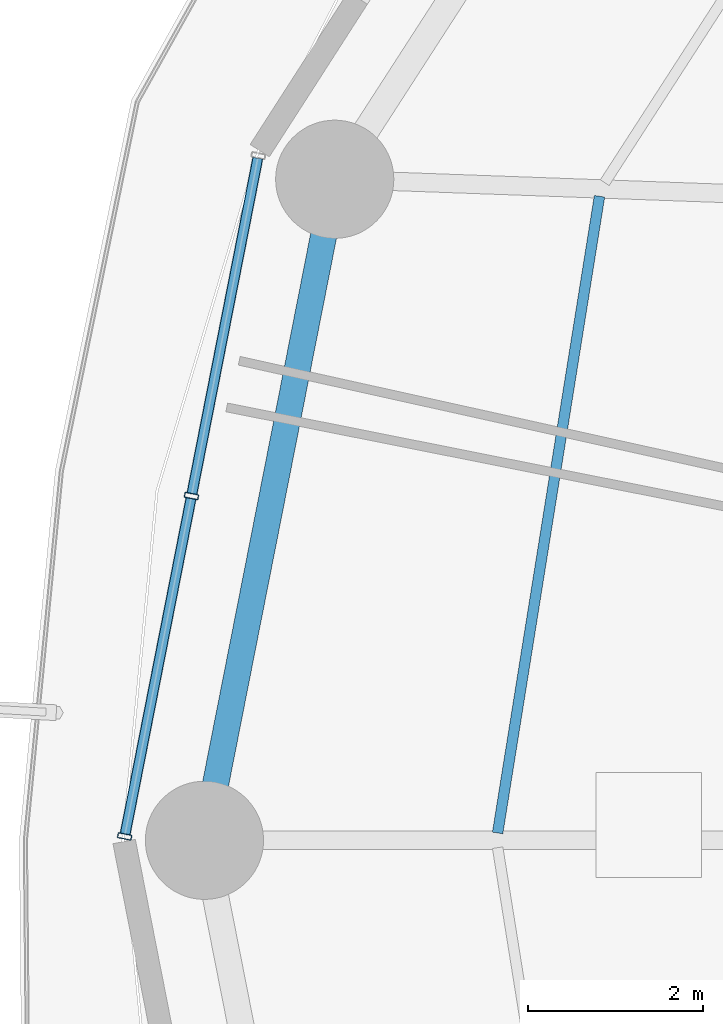
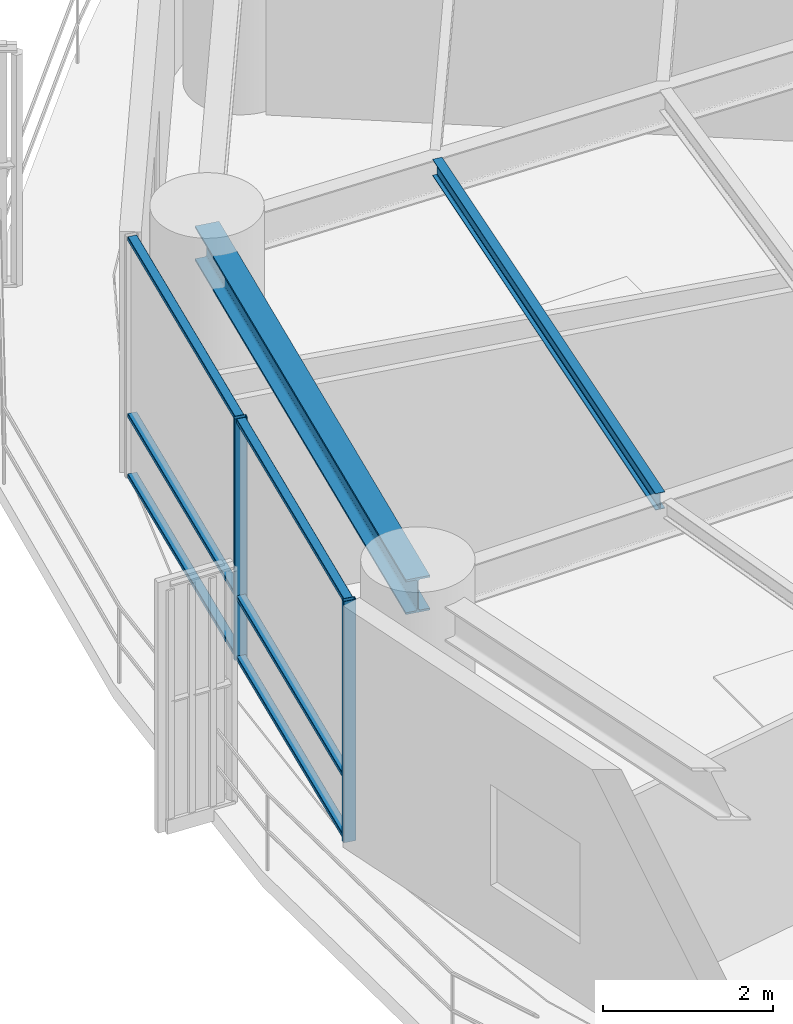
# One storey, part 8 of 35: 8 members, 2 beams, 1 element without a shape of its own.
"""IFC4 building model written with IfcOpenShell, lengths in metres."""

from ifc_helpers import new_model, si_unit, direction, frame, origin, origin_2d, place, context, subcontext, project, spatial, hollow_rectangle, i_section, extrude, material, layer, layer_set, material_profile, profile_set, type_object, element, aggregate, save


model = new_model("IFC4")

# Units and contexts
model_context = context("Model", 3, precision=1e-05, world=origin(), true_north=direction((0.0, 1.0)))
body_context = subcontext(model_context, "Body", "Model", "MODEL_VIEW")
ifc_project = project(units=[si_unit("LENGTHUNIT", "METRE"), si_unit("AREAUNIT", "SQUARE_METRE"), si_unit("VOLUMEUNIT", "CUBIC_METRE"), si_unit("PLANEANGLEUNIT", "RADIAN"), si_unit("MASSUNIT", "GRAM", prefix="KILO")], contexts=[model_context])

# Site, building, storey
site_placement = place(None, origin())
site = spatial("IfcSite", under=ifc_project, at=site_placement, CompositionType="ELEMENT")
building_placement = place(site_placement, origin())
building = spatial("IfcBuilding", under=site, at=building_placement, Name="Kelanora Arch Commons", CompositionType="ELEMENT")
storey_placement = place(building_placement, frame((0.0, 0.0, 117.60009765625)))
storey = spatial("IfcBuildingStorey", under=building, at=storey_placement, Name="L30", CompositionType="ELEMENT", Elevation=117.60009765625)

# Beams
ifc_material_1 = material(Name="Steel S355", Category="steel")
ifc_material_profile_1 = material_profile(ifc_material_1, i_section(OverallWidth=0.1201171875, OverallDepth=0.239990234375, WebThickness=0.006103515625, FlangeThickness=0.009765625, FilletRadius=0.014892578125, at=origin_2d()), Name="IPE240")
ifc_profile_set_1 = profile_set([ifc_material_profile_1], Name="Steel S355")
beam_type_1 = type_object("IfcBeamType", Name="BM-JST-02", PredefinedType="JOIST", material=ifc_profile_set_1)
beam_1_placement = place(storey_placement, frame((53.833251953125, 65.357421875, 3.369873046875), z_axis=(-0.157999549894, -0.987439184068, 0.0), x_axis=(0.987439184068, -0.157999549894, 0.0)))
element("IfcBeam", 1, at=beam_1_placement, inside=storey, type_object=beam_type_1, Name="Secondary Chord Joist BJC-16 L30", PredefinedType="JOIST", context=body_context, shape_type="SweptSolid", body=[
    extrude(i_section(OverallWidth=0.1201171875, OverallDepth=0.239990234375, WebThickness=0.006103515625, FlangeThickness=0.009765625, FilletRadius=0.014892578125, at=origin_2d()), origin(), (0.0, 0.0, 1.0), 7.365966796875),
])
ifc_material_profile_2 = material_profile(ifc_material_1, i_section(OverallWidth=0.300048828125, OverallDepth=0.5, WebThickness=0.014404296875, FlangeThickness=0.028076171875, FilletRadius=0.027099609375, at=origin_2d()), Name="HEB500")
ifc_profile_set_2 = profile_set([ifc_material_profile_2], Name="Steel S355")
beam_type_2 = type_object("IfcBeamType", Name="BM-SPN-Z2", PredefinedType="SPANDREL", material=ifc_profile_set_2)
beam_2_placement = place(storey_placement, frame((50.808349609375, 65.5517578125, 3.239990234375), z_axis=(-0.19335825777, -0.981128220037, 0.0), x_axis=(0.981128220037, -0.19335825777, 0.0)))
element("IfcBeam", 2, at=beam_2_placement, inside=storey, type_object=beam_type_2, Name="Perimeter Spandrel Beam BS-16 L30", PredefinedType="SPANDREL", context=body_context, shape_type="SweptSolid", body=[
    extrude(i_section(OverallWidth=0.300048828125, OverallDepth=0.5, WebThickness=0.014404296875, FlangeThickness=0.028076171875, FilletRadius=0.027099609375, at=origin_2d()), origin(), (0.0, 0.0, 1.0), 7.697021484375),
])

# Curtain wall, members
ifc_material_2 = material(Name="Terracotta ceramic-fritted low-E glass and aluminium", Category="masonry")
ifc_layer = layer(ifc_material_2, 0.159912109375)
ifc_layer_set = layer_set([ifc_layer], Name="Terracotta ceramic-fritted low-E glass and aluminium")
curtain_wall_type = type_object("IfcCurtainWallType", Name="CW-SYS-01", PredefinedType="NOTDEFINED", material=ifc_layer_set)
curtain_wall_placement = place(storey_placement, origin())
curtain_wall = element("IfcCurtainWall", 3, at=curtain_wall_placement, inside=storey, type_object=curtain_wall_type, Name="Unitised Curtain Wall L30-B08", PredefinedType="NOTDEFINED")
ifc_material_3 = material(Name="Powder-coated aluminium terracotta", Category="masonry")
ifc_material_profile_3 = material_profile(ifc_material_3, hollow_rectangle(XDim=0.159912109375, YDim=0.06005859375, WallThickness=0.0048828125, InnerFilletRadius=0.0048828125, OuterFilletRadius=0.010009765625, at=origin_2d()), Name="CWM160x60")
ifc_profile_set_3 = profile_set([ifc_material_profile_3], Name="Powder-coated aluminium terracotta")
member_type_1 = type_object("IfcMemberType", Name="CWM-STD", PredefinedType="MULLION", material=ifc_profile_set_3)
member_1_placement = place(storey_placement, frame((49.171875, 61.933349609375, 0.0), z_axis=(0.0, 0.0, 1.0), x_axis=(0.981280311646, -0.192584916272, 0.0)))
member_1 = element("IfcMember", 4, at=member_1_placement, type_object=member_type_1, Name="CW-01 mullion 2", PredefinedType="MULLION", context=body_context, shape_type="SweptSolid", body=[
    extrude(hollow_rectangle(XDim=0.159912109375, YDim=0.06005859375, WallThickness=0.0048828125, InnerFilletRadius=0.0048828125, OuterFilletRadius=0.010009765625, at=origin_2d()), origin(), (0.0, 0.0, 1.0), 3.474853515625),
])
member_2_placement = place(storey_placement, frame((48.40869140625, 58.044189453125, 0.0), z_axis=(0.0, 0.0, 1.0), x_axis=(0.981280311646, -0.192584916272, 0.0)))
member_2 = element("IfcMember", 5, at=member_2_placement, type_object=member_type_1, Name="CW-01 mullion 3", PredefinedType="MULLION", context=body_context, shape_type="SweptSolid", body=[
    extrude(hollow_rectangle(XDim=0.159912109375, YDim=0.06005859375, WallThickness=0.0048828125, InnerFilletRadius=0.0048828125, OuterFilletRadius=0.010009765625, at=origin_2d()), origin(), (0.0, 0.0, 1.0), 3.474853515625),
])
ifc_material_profile_4 = material_profile(ifc_material_3, hollow_rectangle(XDim=0.1201171875, YDim=0.06005859375, WallThickness=0.0048828125, InnerFilletRadius=0.0048828125, OuterFilletRadius=0.010009765625, at=origin_2d()), Name="CWT120x60")
ifc_profile_set_4 = profile_set([ifc_material_profile_4], Name="Powder-coated aluminium terracotta")
member_type_2 = type_object("IfcMemberType", Name="CWT-STD", PredefinedType="USERDEFINED", material=ifc_profile_set_4)
member_3_placement = place(storey_placement, frame((49.929443359375, 65.79296875, 0.02978515625), z_axis=(-0.192578614785, -0.981281548348, 0.0), x_axis=(0.981281548348, -0.192578614785, 0.0)))
member_3 = element("IfcMember", 6, at=member_3_placement, type_object=member_type_2, Name="CW-01 transom 1.1", ObjectType="TRANSOM", PredefinedType="USERDEFINED", context=body_context, shape_type="SweptSolid", body=[
    extrude(hollow_rectangle(XDim=0.1201171875, YDim=0.06005859375, WallThickness=0.0048828125, InnerFilletRadius=0.0048828125, OuterFilletRadius=0.010009765625, at=origin_2d()), origin(), (0.0, 0.0, 1.0), 3.9033203125),
])
member_4_placement = place(storey_placement, frame((49.929443359375, 65.79296875, 0.89990234375), z_axis=(-0.192578614785, -0.981281548348, 0.0), x_axis=(0.981281548348, -0.192578614785, 0.0)))
member_4 = element("IfcMember", 7, at=member_4_placement, type_object=member_type_2, Name="CW-01 transom 1.2", ObjectType="TRANSOM", PredefinedType="USERDEFINED", context=body_context, shape_type="SweptSolid", body=[
    extrude(hollow_rectangle(XDim=0.1201171875, YDim=0.06005859375, WallThickness=0.0048828125, InnerFilletRadius=0.0048828125, OuterFilletRadius=0.010009765625, at=origin_2d()), origin(), (0.0, 0.0, 1.0), 3.9033203125),
])
member_5_placement = place(storey_placement, frame((49.929443359375, 65.79296875, 3.44482421875), z_axis=(-0.192578614785, -0.981281548348, 0.0), x_axis=(0.981281548348, -0.192578614785, 0.0)))
member_5 = element("IfcMember", 8, at=member_5_placement, type_object=member_type_2, Name="CW-01 transom 1.3", ObjectType="TRANSOM", PredefinedType="USERDEFINED", context=body_context, shape_type="SweptSolid", body=[
    extrude(hollow_rectangle(XDim=0.1201171875, YDim=0.06005859375, WallThickness=0.0048828125, InnerFilletRadius=0.0048828125, OuterFilletRadius=0.010009765625, at=origin_2d()), origin(), (0.0, 0.0, 1.0), 3.9033203125),
])
member_6_placement = place(storey_placement, frame((49.166259765625, 61.90380859375, 0.02978515625), z_axis=(-0.192578614785, -0.981281548348, 0.0), x_axis=(0.981281548348, -0.192578614785, 0.0)))
member_6 = element("IfcMember", 9, at=member_6_placement, type_object=member_type_2, Name="CW-01 transom 2.1", ObjectType="TRANSOM", PredefinedType="USERDEFINED", context=body_context, shape_type="SweptSolid", body=[
    extrude(hollow_rectangle(XDim=0.1201171875, YDim=0.06005859375, WallThickness=0.0048828125, InnerFilletRadius=0.0048828125, OuterFilletRadius=0.010009765625, at=origin_2d()), origin(), (0.0, 0.0, 1.0), 3.9033203125),
])
member_7_placement = place(storey_placement, frame((49.166259765625, 61.90380859375, 0.89990234375), z_axis=(-0.192578614785, -0.981281548348, 0.0), x_axis=(0.981281548348, -0.192578614785, 0.0)))
member_7 = element("IfcMember", 10, at=member_7_placement, type_object=member_type_2, Name="CW-01 transom 2.2", ObjectType="TRANSOM", PredefinedType="USERDEFINED", context=body_context, shape_type="SweptSolid", body=[
    extrude(hollow_rectangle(XDim=0.1201171875, YDim=0.06005859375, WallThickness=0.0048828125, InnerFilletRadius=0.0048828125, OuterFilletRadius=0.010009765625, at=origin_2d()), origin(), (0.0, 0.0, 1.0), 3.9033203125),
])
member_8_placement = place(storey_placement, frame((49.166259765625, 61.90380859375, 3.44482421875), z_axis=(-0.192578614785, -0.981281548348, 0.0), x_axis=(0.981281548348, -0.192578614785, 0.0)))
member_8 = element("IfcMember", 11, at=member_8_placement, type_object=member_type_2, Name="CW-01 transom 2.3", ObjectType="TRANSOM", PredefinedType="USERDEFINED", context=body_context, shape_type="SweptSolid", body=[
    extrude(hollow_rectangle(XDim=0.1201171875, YDim=0.06005859375, WallThickness=0.0048828125, InnerFilletRadius=0.0048828125, OuterFilletRadius=0.010009765625, at=origin_2d()), origin(), (0.0, 0.0, 1.0), 3.9033203125),
])
aggregate(curtain_wall, [member_1, member_2, member_3, member_4, member_5, member_6, member_7, member_8])

save(model, "model.ifc")
